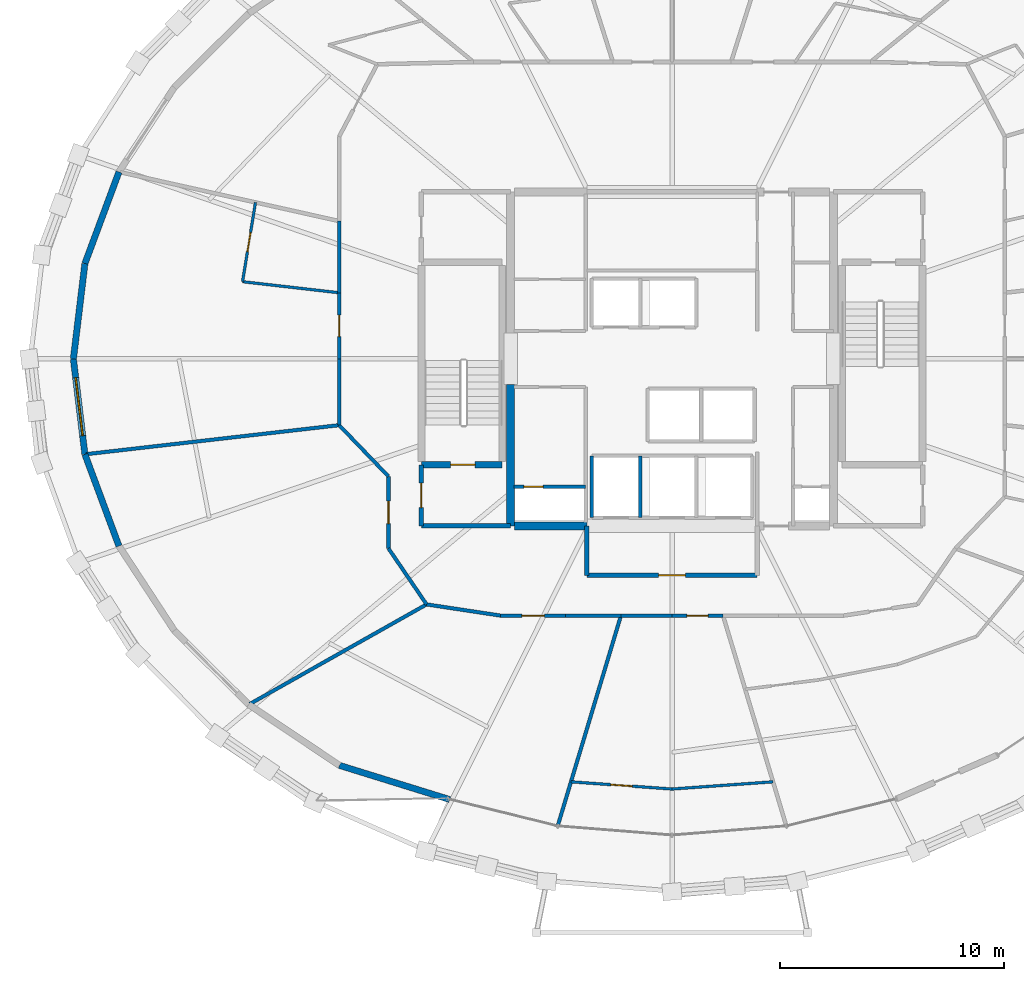
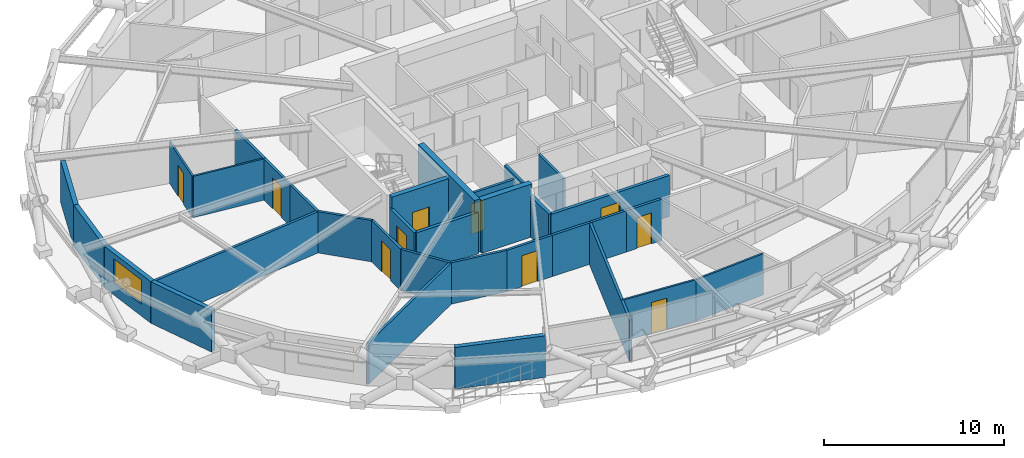
# One storey, part 14 of 21: 33 walls, 10 doors, 1 window, 11 openings.
"""IFC4 building model written with IfcOpenShell, lengths in metres."""

from ifc_helpers import new_model, si_unit, direction, frame, frame_2d, origin, place, context, subcontext, project, spatial, rectangle, extrude, material, layer, layer_set, type_object, element, fill, save


model = new_model("IFC4")

# Units and contexts
model_context = context("Model", 3, precision=1e-05, world=origin(), true_north=direction((0.0, 1.0)))
body_context = subcontext(model_context, "Body", "Model", "MODEL_VIEW")
ifc_project = project(units=[si_unit("LENGTHUNIT", "METRE"), si_unit("AREAUNIT", "SQUARE_METRE"), si_unit("VOLUMEUNIT", "CUBIC_METRE"), si_unit("PLANEANGLEUNIT", "RADIAN"), si_unit("MASSUNIT", "GRAM", prefix="KILO")], contexts=[model_context])

# Site, building, storey
site_placement = place(None, origin())
site = spatial("IfcSite", under=ifc_project, at=site_placement, CompositionType="ELEMENT")
building_placement = place(site_placement, origin())
building = spatial("IfcBuilding", under=site, at=building_placement, Name="Veldorina Hangang Commons", CompositionType="ELEMENT")
storey_placement = place(building_placement, frame((0.0, 0.0, 120.800048828125)))
storey = spatial("IfcBuildingStorey", under=building, at=storey_placement, Name="L30", CompositionType="ELEMENT", Elevation=120.800048828125)

# Walls
ifc_material_1 = material(Name="Concrete C60/75", Category="concrete")
ifc_layer_1 = layer(ifc_material_1, 0.360107421875)
ifc_layer_set_1 = layer_set([ifc_layer_1], Name="Concrete C60/75")
wall_type_1 = type_object("IfcWallType", Name="CW-RC360-C60", PredefinedType="SHEAR", material=ifc_layer_set_1)
wall_1_placement = place(storey_placement, frame((24.800048828125, 16.550048828125, 0.0), z_axis=(0.0, 0.0, 1.0), x_axis=(0.0, 1.0, 0.0)))
element("IfcWall", 1, at=wall_1_placement, inside=storey, type_object=wall_type_1, Name="L30 W south core shear wall", PredefinedType="SHEAR", context=body_context, shape_type="SweptSolid", body=[
    extrude(rectangle(XDim=6.300048828125, YDim=0.360107421875, at=frame_2d((3.14990234375, 0.0))), origin(), (0.0, 0.0, 1.0), 3.599853515625),
])
wall_2_placement = place(storey_placement, frame((24.97998046875, 16.550048828125, 0.0), z_axis=(0.0, 0.0, 1.0), x_axis=(1.0, 0.0, 0.0)))
element("IfcWall", 2, at=wall_2_placement, inside=storey, type_object=wall_type_1, Name="L30 south-west core shear wall", PredefinedType="SHEAR", context=body_context, shape_type="SweptSolid", body=[
    extrude(rectangle(XDim=3.219970703125, YDim=0.360107421875, at=frame_2d((1.60986328125, 0.0))), origin(), (0.0, 0.0, 1.0), 3.599853515625),
])
ifc_material_2 = material(Name="Stone Roman Travertine", Category="masonry")
ifc_layer_2 = layer(ifc_material_2, 0.280029296875)
ifc_layer_set_2 = layer_set([ifc_layer_2], Name="Stone Roman Travertine")
wall_type_2 = type_object("IfcWallType", Name="EW-TRAV-280", PredefinedType="STANDARD", material=ifc_layer_set_2)
wall_3_placement = place(storey_placement, frame((7.325927734375, 32.34521484375, 0.0), z_axis=(0.0, 0.0, 1.0), x_axis=(-0.348252546088, -0.937400748956, 0.0)))
element("IfcWall", 3, at=wall_3_placement, inside=storey, type_object=wall_type_2, Name="L30 travertine facade wall 14", PredefinedType="STANDARD", context=body_context, shape_type="SweptSolid", body=[
    extrude(rectangle(XDim=4.364013671875, YDim=0.280029296875, at=frame_2d((2.18212890625, 0.0))), origin(), (0.0, 0.0, 1.0), 2.820068359375),
])
wall_4_placement = place(storey_placement, frame((5.80615234375, 28.25439453125, 0.0), z_axis=(0.0, 0.0, 1.0), x_axis=(-0.119756259899, -0.992803323028, 0.0)))
element("IfcWall", 4, at=wall_4_placement, inside=storey, type_object=wall_type_2, Name="L30 travertine facade wall 15", PredefinedType="STANDARD", context=body_context, shape_type="SweptSolid", body=[
    extrude(rectangle(XDim=4.28515625, YDim=0.280029296875, at=frame_2d((2.142578125, 0.0))), origin(), (0.0, 0.0, 1.0), 2.820068359375),
])

# Wall, opening, window
wall_5_placement = place(storey_placement, frame((5.29296875, 24.0, 0.0), z_axis=(0.0, 0.0, 1.0), x_axis=(0.119756259899, -0.992803323028, 0.0)))
wall_5 = element("IfcWall", 5, at=wall_5_placement, inside=storey, type_object=wall_type_2, Name="L30 travertine facade wall 16", PredefinedType="STANDARD", context=body_context, shape_type="SweptSolid", body=[
    extrude(rectangle(XDim=4.28515625, YDim=0.280029296875, at=frame_2d((2.142578125, 0.0))), origin(), (0.0, 0.0, 1.0), 2.820068359375),
])
opening_1_placement = place(wall_5_placement, frame((0.842529296875, 0.0, 0.800048828125)))
opening_1 = element("IfcOpeningElement", 6, at=opening_1_placement, cuts=wall_5, Name="Opening W-02", PredefinedType="OPENING", context=body_context, shape_type="SweptSolid", body=[
    extrude(rectangle(XDim=2.60009765625, YDim=1.64990234375, at=frame_2d((1.300048828125, 0.824951171875))), frame((0.0, 0.14990234375, 0.0), z_axis=(0.0, -1.0, 0.0), x_axis=(1.0, 0.0, 0.0)), (0.0, 0.0, 1.0), 0.300048828125),
])
ifc_material_3 = material(Name="Glass Low-E Triple IGU", Category="glass")
window_type = type_object("IfcWindowType", Name="WIN-TWR-2600", PartitioningType="SINGLE_PANEL", PredefinedType="WINDOW", material=ifc_material_3)
window_placement = place(opening_1_placement, origin())
window = element("IfcWindow", 7, at=window_placement, inside=storey, type_object=window_type, Name="L30 facade window 16", OverallHeight=1.64990234375, OverallWidth=2.60009765625, PartitioningType="SINGLE_PANEL", PredefinedType="WINDOW", context=body_context, shape_type="SweptSolid", body=[
    extrude(rectangle(XDim=2.60009765625, YDim=1.64990234375, at=frame_2d((1.300048828125, 0.824951171875))), frame((0.0, 0.030029296875, 0.0), z_axis=(0.0, -1.0, 0.0), x_axis=(1.0, 0.0, 0.0)), (0.0, 0.0, 1.0), 0.06005859375),
])
fill(opening_1, window)

# Walls
wall_6_placement = place(storey_placement, frame((5.80615234375, 19.74560546875, 0.0), z_axis=(0.0, 0.0, 1.0), x_axis=(0.348252546088, -0.937400748956, 0.0)))
element("IfcWall", 8, at=wall_6_placement, inside=storey, type_object=wall_type_2, Name="L30 travertine facade wall 17", PredefinedType="STANDARD", context=body_context, shape_type="SweptSolid", body=[
    extrude(rectangle(XDim=4.364013671875, YDim=0.280029296875, at=frame_2d((2.18212890625, 0.0))), origin(), (0.0, 0.0, 1.0), 2.820068359375),
])
wall_7_placement = place(storey_placement, frame((17.162353515625, 5.8681640625, 0.0), z_axis=(0.0, 0.0, 1.0), x_axis=(0.955164029164, -0.2960771477, 0.0)))
element("IfcWall", 9, at=wall_7_placement, inside=storey, type_object=wall_type_2, Name="L30 travertine facade wall 21", PredefinedType="STANDARD", context=body_context, shape_type="SweptSolid", body=[
    extrude(rectangle(XDim=5.150390625, YDim=0.280029296875, at=frame_2d((2.5751953125, 0.0))), origin(), (0.0, 0.0, 1.0), 2.820068359375),
])

# Wall, opening, door
ifc_material_4 = material(Name="Concrete C50/60", Category="concrete")
ifc_layer_3 = layer(ifc_material_4, 0.300048828125)
ifc_layer_set_3 = layer_set([ifc_layer_3], Name="Concrete C50/60")
wall_type_3 = type_object("IfcWallType", Name="SW-STAIR-300", PredefinedType="SHEAR", material=ifc_layer_set_3)
wall_8_placement = place(storey_placement, frame((20.820068359375, 19.280029296875, 0.0), z_axis=(0.0, 0.0, 1.0), x_axis=(1.0, 0.0, 0.0)))
wall_8 = element("IfcWall", 10, at=wall_8_placement, inside=storey, type_object=wall_type_3, Name="L30 ST1 south stair shear wall", PredefinedType="SHEAR", context=body_context, shape_type="SweptSolid", body=[
    extrude(rectangle(XDim=3.599853515625, YDim=0.300048828125, at=frame_2d((1.7998046875, 0.0))), origin(), (0.0, 0.0, 1.0), 3.599853515625),
])
opening_2_placement = place(wall_8_placement, frame((1.300048828125, 0.0, 0.0)))
opening_2 = element("IfcOpeningElement", 11, at=opening_2_placement, cuts=wall_8, Name="Opening D-08", PredefinedType="OPENING", context=body_context, shape_type="SweptSolid", body=[
    extrude(rectangle(XDim=1.10009765625, YDim=2.10009765625, at=frame_2d((0.550048828125, 1.050048828125))), frame((0.0, 0.16015625, 0.0), z_axis=(0.0, -1.0, 0.0), x_axis=(1.0, 0.0, 0.0)), (0.0, 0.0, 1.0), 0.320068359375),
])
ifc_material_5 = material(Name="Steel Fire-Rated Smoke Seal", Category="steel")
door_type_1 = type_object("IfcDoorType", Name="DR-FIRE-1100", OperationType="SINGLE_SWING_RIGHT", PredefinedType="DOOR", material=ifc_material_5)
door_1_placement = place(opening_2_placement, origin())
door_1 = element("IfcDoor", 12, at=door_1_placement, inside=storey, type_object=door_type_1, Name="L30 Special Escape Stair ST-1 door", OperationType="SINGLE_SWING_LEFT", OverallHeight=2.10009765625, OverallWidth=1.10009765625, PredefinedType="DOOR", context=body_context, shape_type="SweptSolid", body=[
    extrude(rectangle(XDim=1.10009765625, YDim=2.10009765625, at=frame_2d((0.550048828125, 1.050048828125))), frame((0.0, 0.02490234375, 0.0), z_axis=(0.0, -1.0, 0.0), x_axis=(1.0, 0.0, 0.0)), (0.0, 0.0, 1.0), 0.050048828125),
])
fill(opening_2, door_1)

# Walls
ifc_material_6 = material(Name="Gypsum Fire-Rated Twin Stud Wall", Category="gypsum")
ifc_layer_4 = layer(ifc_material_6, 0.159912109375)
ifc_layer_set_4 = layer_set([ifc_layer_4], Name="Gypsum Fire-Rated Twin Stud Wall")
wall_type_4 = type_object("IfcWallType", Name="WL-FIRE-160", PredefinedType="SOLIDWALL", material=ifc_layer_set_4)
for number, where, z_axis, x_axis, name in (
    (13, (28.419921875, 16.919921875, 0.0), (0.0, 0.0, 1.0), (0.0, 1.0, 0.0), "L30 FFL-1 west shaft wall 027"),
    (14, (30.580078125, 16.919921875, 0.0), (0.0, 0.0, 1.0), (0.0, 1.0, 0.0), "L30 FFL-1 east shaft wall 028"),
):
    element("IfcWall", number, at=place(storey_placement, frame(where, z_axis=z_axis, x_axis=x_axis)), inside=storey, type_object=wall_type_4, Name=name, PredefinedType="SOLIDWALL", context=body_context, shape_type="SweptSolid", body=[
        extrude(rectangle(XDim=2.760009765625, YDim=0.159912109375, at=frame_2d((1.3798828125, 0.0))), origin(), (0.0, 0.0, 1.0), 2.800048828125),
    ])

# Wall, opening, door
wall_9_placement = place(storey_placement, frame((24.949951171875, 18.300048828125, 0.0), z_axis=(0.0, 0.0, 1.0), x_axis=(1.0, 0.0, 0.0)))
wall_9 = element("IfcWall", 15, at=wall_9_placement, inside=storey, type_object=wall_type_4, Name="L30 Electrical riser wall 034", PredefinedType="SOLIDWALL", context=body_context, shape_type="SweptSolid", body=[
    extrude(rectangle(XDim=3.199951171875, YDim=0.159912109375, at=frame_2d((1.60009765625, 0.0))), origin(), (0.0, 0.0, 1.0), 2.800048828125),
])
opening_3_placement = place(wall_9_placement, frame((0.43994140625, 0.0, 0.0)))
opening_3 = element("IfcOpeningElement", 16, at=opening_3_placement, cuts=wall_9, Name="Opening D-12", PredefinedType="OPENING", context=body_context, shape_type="SweptSolid", body=[
    extrude(rectangle(XDim=0.860107421875, YDim=2.050048828125, at=frame_2d((0.43017578125, 1.02490234375))), frame((0.0, 0.08984375, 0.0), z_axis=(0.0, -1.0, 0.0), x_axis=(1.0, 0.0, 0.0)), (0.0, 0.0, 1.0), 0.179931640625),
])
ifc_material_7 = material(Name="Steel Insulated Riser Access", Category="steel")
door_type_2 = type_object("IfcDoorType", Name="DR-TRAP-860", OperationType="SINGLE_SWING_LEFT", PredefinedType="TRAPDOOR", material=ifc_material_7)
door_2_placement = place(opening_3_placement, origin())
door_2 = element("IfcDoor", 17, at=door_2_placement, inside=storey, type_object=door_type_2, Name="L30 Electrical riser access door 012", OperationType="SINGLE_SWING_RIGHT", OverallHeight=2.050048828125, OverallWidth=0.860107421875, PredefinedType="TRAPDOOR", context=body_context, shape_type="SweptSolid", body=[
    extrude(rectangle(XDim=0.860107421875, YDim=2.050048828125, at=frame_2d((0.43017578125, 1.02490234375))), frame((0.0, 0.02490234375, 0.0), z_axis=(0.0, -1.0, 0.0), x_axis=(1.0, 0.0, 0.0)), (0.0, 0.0, 1.0), 0.050048828125),
])
fill(opening_3, door_2)

# Wall
wall_10_placement = place(storey_placement, frame((17.14990234375, 30.151123046875, 0.0), z_axis=(0.0, 0.0, 1.0), x_axis=(0.0, -1.0, 0.0)))
element("IfcWall", 18, at=wall_10_placement, inside=storey, type_object=wall_type_4, Name="L30 U-corridor outer wall 14 060", PredefinedType="SOLIDWALL", context=body_context, shape_type="SweptSolid", body=[
    extrude(rectangle(XDim=3.197265625, YDim=0.159912109375, at=frame_2d((1.5986328125, 0.0))), origin(), (0.0, 0.0, 1.0), 2.800048828125),
])

# Wall, opening, door
wall_11_placement = place(storey_placement, frame((17.14990234375, 26.953857421875, 0.0), z_axis=(0.0, 0.0, 1.0), x_axis=(0.0, -1.0, 0.0)))
wall_11 = element("IfcWall", 19, at=wall_11_placement, inside=storey, type_object=wall_type_4, Name="L30 U-corridor outer wall 15 061", PredefinedType="SOLIDWALL", context=body_context, shape_type="SweptSolid", body=[
    extrude(rectangle(XDim=2.953857421875, YDim=0.159912109375, at=frame_2d((1.47705078125, 0.0))), origin(), (0.0, 0.0, 1.0), 2.800048828125),
])
opening_4_placement = place(wall_11_placement, frame((1.001953125, 0.0, 0.0)))
opening_4 = element("IfcOpeningElement", 20, at=opening_4_placement, cuts=wall_11, Name="Opening D-03", PredefinedType="OPENING", context=body_context, shape_type="SweptSolid", body=[
    extrude(rectangle(XDim=0.949951171875, YDim=2.10009765625, at=frame_2d((0.47509765625, 1.050048828125))), frame((0.0, 0.08984375, 0.0), z_axis=(0.0, -1.0, 0.0), x_axis=(1.0, 0.0, 0.0)), (0.0, 0.0, 1.0), 0.179931640625),
])
ifc_material_8 = material(Name="Timber Fire-Rated Entrance Core", Category="wood")
door_type_3 = type_object("IfcDoorType", Name="DR-UNIT-950", OperationType="SINGLE_SWING_RIGHT", PredefinedType="DOOR", material=ifc_material_8)
door_3_placement = place(opening_4_placement, origin())
door_3 = element("IfcDoor", 21, at=door_3_placement, inside=storey, type_object=door_type_3, Name="L30 Studio 10 entrance door 039", OperationType="SINGLE_SWING_LEFT", OverallHeight=2.10009765625, OverallWidth=0.949951171875, PredefinedType="DOOR", context=body_context, shape_type="SweptSolid", body=[
    extrude(rectangle(XDim=0.949951171875, YDim=2.10009765625, at=frame_2d((0.47509765625, 1.050048828125))), frame((0.0, 0.02490234375, 0.0), z_axis=(0.0, -1.0, 0.0), x_axis=(1.0, 0.0, 0.0)), (0.0, 0.0, 1.0), 0.050048828125),
])
fill(opening_4, door_3)

# Walls
wall_12_placement = place(storey_placement, frame((17.14990234375, 24.0, 0.0), z_axis=(0.0, 0.0, 1.0), x_axis=(0.0, -1.0, 0.0)))
element("IfcWall", 22, at=wall_12_placement, inside=storey, type_object=wall_type_4, Name="L30 U-corridor outer wall 16 062", PredefinedType="SOLIDWALL", context=body_context, shape_type="SweptSolid", body=[
    extrude(rectangle(XDim=2.953857421875, YDim=0.159912109375, at=frame_2d((1.47705078125, 0.0))), origin(), (0.0, 0.0, 1.0), 2.800048828125),
])
wall_13_placement = place(storey_placement, frame((17.14990234375, 21.046142578125, 0.0), z_axis=(0.0, 0.0, 1.0), x_axis=(0.693473090138, -0.72048252807, 0.0)))
element("IfcWall", 23, at=wall_13_placement, inside=storey, type_object=wall_type_4, Name="L30 U-corridor outer wall 17 063", PredefinedType="SOLIDWALL", context=body_context, shape_type="SweptSolid", body=[
    extrude(rectangle(XDim=3.172607421875, YDim=0.159912109375, at=frame_2d((1.58642578125, 0.0))), origin(), (0.0, 0.0, 1.0), 2.800048828125),
])

# Wall, opening, door
wall_14_placement = place(storey_placement, frame((19.35009765625, 18.76025390625, 0.0), z_axis=(0.0, 0.0, 1.0), x_axis=(0.0, -1.0, 0.0)))
wall_14 = element("IfcWall", 24, at=wall_14_placement, inside=storey, type_object=wall_type_4, Name="L30 U-corridor outer wall 18 064", PredefinedType="SOLIDWALL", context=body_context, shape_type="SweptSolid", body=[
    extrude(rectangle(XDim=3.212646484375, YDim=0.159912109375, at=frame_2d((1.6064453125, 0.0))), origin(), (0.0, 0.0, 1.0), 2.800048828125),
])
opening_5_placement = place(wall_14_placement, frame((1.106201171875, 0.0, 0.0)))
opening_5 = element("IfcOpeningElement", 25, at=opening_5_placement, cuts=wall_14, Name="Opening D-05", PredefinedType="OPENING", context=body_context, shape_type="SweptSolid", body=[
    extrude(rectangle(XDim=1.0, YDim=2.10009765625, at=frame_2d((0.5, 1.050048828125))), frame((0.0, 0.08984375, 0.0), z_axis=(0.0, -1.0, 0.0), x_axis=(1.0, 0.0, 0.0)), (0.0, 0.0, 1.0), 0.179931640625),
])
ifc_material_9 = material(Name="Timber Solid Core Acoustic", Category="wood")
door_type_4 = type_object("IfcDoorType", Name="DR-INT-1000", OperationType="SINGLE_SWING_RIGHT", PredefinedType="DOOR", material=ifc_material_9)
door_4_placement = place(opening_5_placement, origin())
door_4 = element("IfcDoor", 26, at=door_4_placement, inside=storey, type_object=door_type_4, Name="L30 Floor Study Room 11 door 040", OperationType="SINGLE_SWING_RIGHT", OverallHeight=2.10009765625, OverallWidth=1.0, PredefinedType="DOOR", context=body_context, shape_type="SweptSolid", body=[
    extrude(rectangle(XDim=1.0, YDim=2.10009765625, at=frame_2d((0.5, 1.050048828125))), frame((0.0, 0.02490234375, 0.0), z_axis=(0.0, -1.0, 0.0), x_axis=(1.0, 0.0, 0.0)), (0.0, 0.0, 1.0), 0.050048828125),
])
fill(opening_5, door_4)

# Walls
wall_15_placement = place(storey_placement, frame((19.35009765625, 15.547607421875, 0.0), z_axis=(0.0, 0.0, 1.0), x_axis=(0.562674669208, -0.826678423955, 0.0)))
element("IfcWall", 27, at=wall_15_placement, inside=storey, type_object=wall_type_4, Name="L30 U-corridor outer wall 19 065", PredefinedType="SOLIDWALL", context=body_context, shape_type="SweptSolid", body=[
    extrude(rectangle(XDim=3.021240234375, YDim=0.159912109375, at=frame_2d((1.5107421875, 0.0))), origin(), (0.0, 0.0, 1.0), 2.800048828125),
])
wall_16_placement = place(storey_placement, frame((21.050048828125, 13.050048828125, 0.0), z_axis=(0.0, 0.0, 1.0), x_axis=(0.988710906508, -0.149835721217, 0.0)))
element("IfcWall", 28, at=wall_16_placement, inside=storey, type_object=wall_type_4, Name="L30 U-corridor outer wall 20 066", PredefinedType="SOLIDWALL", context=body_context, shape_type="SweptSolid", body=[
    extrude(rectangle(XDim=3.3369140625, YDim=0.159912109375, at=frame_2d((1.66845703125, 0.0))), origin(), (0.0, 0.0, 1.0), 2.800048828125),
])

# Wall, opening, door
wall_17_placement = place(storey_placement, frame((24.349365234375, 12.550048828125, 0.0), z_axis=(0.0, 0.0, 1.0), x_axis=(1.0, 0.0, 0.0)))
wall_17 = element("IfcWall", 29, at=wall_17_placement, inside=storey, type_object=wall_type_4, Name="L30 U-corridor outer wall 21 067", PredefinedType="SOLIDWALL", context=body_context, shape_type="SweptSolid", body=[
    extrude(rectangle(XDim=2.907958984375, YDim=0.159912109375, at=frame_2d((1.4541015625, 0.0))), origin(), (0.0, 0.0, 1.0), 2.800048828125),
])
opening_6_placement = place(wall_17_placement, frame((0.9541015625, 0.0, 0.0)))
opening_6 = element("IfcOpeningElement", 30, at=opening_6_placement, cuts=wall_17, Name="Opening D-05", PredefinedType="OPENING", context=body_context, shape_type="SweptSolid", body=[
    extrude(rectangle(XDim=1.0, YDim=2.10009765625, at=frame_2d((0.5, 1.050048828125))), frame((0.0, 0.08984375, 0.0), z_axis=(0.0, -1.0, 0.0), x_axis=(1.0, 0.0, 0.0)), (0.0, 0.0, 1.0), 0.179931640625),
])
door_5_placement = place(opening_6_placement, origin())
door_5 = element("IfcDoor", 31, at=door_5_placement, inside=storey, type_object=door_type_4, Name="L30 Seminar Focus Room 12 door 041", OperationType="SINGLE_SWING_LEFT", OverallHeight=2.10009765625, OverallWidth=1.0, PredefinedType="DOOR", context=body_context, shape_type="SweptSolid", body=[
    extrude(rectangle(XDim=1.0, YDim=2.10009765625, at=frame_2d((0.5, 1.050048828125))), frame((0.0, 0.02490234375, 0.0), z_axis=(0.0, -1.0, 0.0), x_axis=(1.0, 0.0, 0.0)), (0.0, 0.0, 1.0), 0.050048828125),
])
fill(opening_6, door_5)

# Walls
wall_18_placement = place(storey_placement, frame((27.25732421875, 12.550048828125, 0.0), z_axis=(0.0, 0.0, 1.0), x_axis=(1.0, 0.0, 0.0)))
element("IfcWall", 32, at=wall_18_placement, inside=storey, type_object=wall_type_4, Name="L30 U-corridor outer wall 22 068", PredefinedType="SOLIDWALL", context=body_context, shape_type="SweptSolid", body=[
    extrude(rectangle(XDim=2.465087890625, YDim=0.159912109375, at=frame_2d((1.232421875, 0.0))), origin(), (0.0, 0.0, 1.0), 2.800048828125),
])
wall_19_placement = place(storey_placement, frame((29.722412109375, 12.550048828125, 0.0), z_axis=(0.0, 0.0, 1.0), x_axis=(1.0, 0.0, 0.0)))
element("IfcWall", 33, at=wall_19_placement, inside=storey, type_object=wall_type_4, Name="L30 U-corridor outer wall 23 069", PredefinedType="SOLIDWALL", context=body_context, shape_type="SweptSolid", body=[
    extrude(rectangle(XDim=2.277587890625, YDim=0.159912109375, at=frame_2d((1.138671875, 0.0))), origin(), (0.0, 0.0, 1.0), 2.800048828125),
])

# Wall, opening, door
wall_20_placement = place(storey_placement, frame((32.0, 12.550048828125, 0.0), z_axis=(0.0, 0.0, 1.0), x_axis=(1.0, 0.0, 0.0)))
wall_20 = element("IfcWall", 34, at=wall_20_placement, inside=storey, type_object=wall_type_4, Name="L30 U-corridor outer wall 24 070", PredefinedType="SOLIDWALL", context=body_context, shape_type="SweptSolid", body=[
    extrude(rectangle(XDim=2.277587890625, YDim=0.159912109375, at=frame_2d((1.138671875, 0.0))), origin(), (0.0, 0.0, 1.0), 2.800048828125),
])
opening_7_placement = place(wall_20_placement, frame((0.663818359375, 0.0, 0.0)))
opening_7 = element("IfcOpeningElement", 35, at=opening_7_placement, cuts=wall_20, Name="Opening D-02", PredefinedType="OPENING", context=body_context, shape_type="SweptSolid", body=[
    extrude(rectangle(XDim=0.949951171875, YDim=2.10009765625, at=frame_2d((0.47509765625, 1.050048828125))), frame((0.0, 0.08984375, 0.0), z_axis=(0.0, -1.0, 0.0), x_axis=(1.0, 0.0, 0.0)), (0.0, 0.0, 1.0), 0.179931640625),
])
door_type_5 = type_object("IfcDoorType", Name="DR-INT-950", OperationType="SINGLE_SWING_LEFT", PredefinedType="DOOR", material=ifc_material_9)
door_6_placement = place(opening_7_placement, origin())
door_6 = element("IfcDoor", 36, at=door_6_placement, inside=storey, type_object=door_type_5, Name="L30 Linen drying store door 042", OperationType="SINGLE_SWING_RIGHT", OverallHeight=2.10009765625, OverallWidth=0.949951171875, PredefinedType="DOOR", context=body_context, shape_type="SweptSolid", body=[
    extrude(rectangle(XDim=0.949951171875, YDim=2.10009765625, at=frame_2d((0.47509765625, 1.050048828125))), frame((0.0, 0.02490234375, 0.0), z_axis=(0.0, -1.0, 0.0), x_axis=(1.0, 0.0, 0.0)), (0.0, 0.0, 1.0), 0.050048828125),
])
fill(opening_7, door_6)

# Walls
wall_21_placement = place(storey_placement, frame((17.14990234375, 21.046142578125, 0.0), z_axis=(0.0, 0.0, 1.0), x_axis=(-0.993493502976, -0.113888803422, 0.0)))
element("IfcWall", 37, at=wall_21_placement, inside=storey, type_object=wall_type_4, Name="L30 Unit party wall 17 110", PredefinedType="SOLIDWALL", context=body_context, shape_type="SweptSolid", body=[
    extrude(rectangle(XDim=11.367919921875, YDim=0.159912109375, at=frame_2d((5.68408203125, 0.0))), origin(), (0.0, 0.0, 1.0), 2.800048828125),
])
wall_22_placement = place(storey_placement, frame((21.050048828125, 13.050048828125, 0.0), z_axis=(0.0, 0.0, 1.0), x_axis=(-0.871265811463, -0.490811456442, 0.0)))
element("IfcWall", 38, at=wall_22_placement, inside=storey, type_object=wall_type_4, Name="L30 Unit party wall 20 111", PredefinedType="SOLIDWALL", context=body_context, shape_type="SweptSolid", body=[
    extrude(rectangle(XDim=9.05712890625, YDim=0.159912109375, at=frame_2d((4.528564453125, 0.0))), origin(), (0.0, 0.0, 1.0), 2.800048828125),
])
wall_23_placement = place(storey_placement, frame((29.722412109375, 12.550048828125, 0.0), z_axis=(0.0, 0.0, 1.0), x_axis=(-0.287990783487, -0.957633180621, 0.0)))
element("IfcWall", 39, at=wall_23_placement, inside=storey, type_object=wall_type_4, Name="L30 Unit party wall 23 112", PredefinedType="SOLIDWALL", context=body_context, shape_type="SweptSolid", body=[
    extrude(rectangle(XDim=9.754150390625, YDim=0.159912109375, at=frame_2d((4.876953125, 0.0))), origin(), (0.0, 0.0, 1.0), 2.800048828125),
])

# Wall, opening, door
ifc_material_10 = material(Name="Concrete Blockwork Fire Wall C30/37", Category="masonry")
ifc_layer_5 = layer(ifc_material_10, 0.199951171875)
ifc_layer_set_5 = layer_set([ifc_layer_5], Name="Concrete Blockwork Fire Wall C30/37")
wall_type_5 = type_object("IfcWallType", Name="WL-FIRE-200", PredefinedType="SOLIDWALL", material=ifc_layer_set_5)
wall_24_placement = place(storey_placement, frame((20.820068359375, 16.550048828125, 0.0), z_axis=(0.0, 0.0, 1.0), x_axis=(0.0, 1.0, 0.0)))
wall_24 = element("IfcWall", 40, at=wall_24_placement, inside=storey, type_object=wall_type_5, Name="L30 West vestibule outer wall 001", PredefinedType="SOLIDWALL", context=body_context, shape_type="SweptSolid", body=[
    extrude(rectangle(XDim=2.72998046875, YDim=0.199951171875, at=frame_2d((1.364990234375, 0.0))), origin(), (0.0, 0.0, 1.0), 2.800048828125),
])
opening_8_placement = place(wall_24_placement, frame((0.81494140625, 0.0, 0.0)))
opening_8 = element("IfcOpeningElement", 41, at=opening_8_placement, cuts=wall_24, Name="Opening D-08", PredefinedType="OPENING", context=body_context, shape_type="SweptSolid", body=[
    extrude(rectangle(XDim=1.10009765625, YDim=2.10009765625, at=frame_2d((0.550048828125, 1.050048828125))), frame((0.0, 0.10986328125, 0.0), z_axis=(0.0, -1.0, 0.0), x_axis=(1.0, 0.0, 0.0)), (0.0, 0.0, 1.0), 0.219970703125),
])
door_7_placement = place(opening_8_placement, origin())
door_7 = element("IfcDoor", 42, at=door_7_placement, inside=storey, type_object=door_type_1, Name="L30 West vestibule west door 001", OperationType="SINGLE_SWING_LEFT", OverallHeight=2.10009765625, OverallWidth=1.10009765625, PredefinedType="DOOR", context=body_context, shape_type="SweptSolid", body=[
    extrude(rectangle(XDim=1.10009765625, YDim=2.10009765625, at=frame_2d((0.550048828125, 1.050048828125))), frame((0.0, 0.02490234375, 0.0), z_axis=(0.0, -1.0, 0.0), x_axis=(1.0, 0.0, 0.0)), (0.0, 0.0, 1.0), 0.050048828125),
])
fill(opening_8, door_7)

# Walls
wall_25_placement = place(storey_placement, frame((20.820068359375, 16.550048828125, 0.0), z_axis=(0.0, 0.0, 1.0), x_axis=(1.0, 0.0, 0.0)))
element("IfcWall", 43, at=wall_25_placement, inside=storey, type_object=wall_type_5, Name="L30 West vestibule south wall 002", PredefinedType="SOLIDWALL", context=body_context, shape_type="SweptSolid", body=[
    extrude(rectangle(XDim=3.97998046875, YDim=0.199951171875, at=frame_2d((1.989990234375, 0.0))), origin(), (0.0, 0.0, 1.0), 2.800048828125),
])
wall_26_placement = place(storey_placement, frame((28.199951171875, 14.35009765625, 0.0), z_axis=(0.0, 0.0, 1.0), x_axis=(0.0, 1.0, 0.0)))
element("IfcWall", 44, at=wall_26_placement, inside=storey, type_object=wall_type_5, Name="L30 FF lobby west wall 012", PredefinedType="SOLIDWALL", context=body_context, shape_type="SweptSolid", body=[
    extrude(rectangle(XDim=2.199951171875, YDim=0.199951171875, at=frame_2d((1.10009765625, 0.0))), origin(), (0.0, 0.0, 1.0), 2.800048828125),
])

# Wall, opening, door
wall_27_placement = place(storey_placement, frame((28.199951171875, 14.35009765625, 0.0), z_axis=(0.0, 0.0, 1.0), x_axis=(1.0, 0.0, 0.0)))
wall_27 = element("IfcWall", 45, at=wall_27_placement, inside=storey, type_object=wall_type_5, Name="L30 FF lobby south wall 014", PredefinedType="SOLIDWALL", context=body_context, shape_type="SweptSolid", body=[
    extrude(rectangle(XDim=7.60009765625, YDim=0.199951171875, at=frame_2d((3.800048828125, 0.0))), origin(), (0.0, 0.0, 1.0), 2.800048828125),
])
opening_9_placement = place(wall_27_placement, frame((3.199951171875, 0.0, 0.0)))
opening_9 = element("IfcOpeningElement", 46, at=opening_9_placement, cuts=wall_27, Name="Opening D-09", PredefinedType="OPENING", context=body_context, shape_type="SweptSolid", body=[
    extrude(rectangle(XDim=1.199951171875, YDim=2.10009765625, at=frame_2d((0.60009765625, 1.050048828125))), frame((0.0, 0.10986328125, 0.0), z_axis=(0.0, -1.0, 0.0), x_axis=(1.0, 0.0, 0.0)), (0.0, 0.0, 1.0), 0.219970703125),
])
ifc_material_11 = material(Name="Steel Fire-Rated Corridor Door", Category="steel")
door_type_6 = type_object("IfcDoorType", Name="DR-FIRE-1200", OperationType="SINGLE_SWING_LEFT", PredefinedType="DOOR", material=ifc_material_11)
door_8_placement = place(opening_9_placement, origin())
door_8 = element("IfcDoor", 47, at=door_8_placement, inside=storey, type_object=door_type_6, Name="L30 FF lobby south corridor door 005", OperationType="SINGLE_SWING_LEFT", OverallHeight=2.10009765625, OverallWidth=1.199951171875, PredefinedType="DOOR", context=body_context, shape_type="SweptSolid", body=[
    extrude(rectangle(XDim=1.199951171875, YDim=2.10009765625, at=frame_2d((0.60009765625, 1.050048828125))), frame((0.0, 0.02490234375, 0.0), z_axis=(0.0, -1.0, 0.0), x_axis=(1.0, 0.0, 0.0)), (0.0, 0.0, 1.0), 0.050048828125),
])
fill(opening_9, door_8)

ifc_material_12 = material(Name="Gypsum Acoustic Stud Partition", Category="gypsum")
ifc_layer_6 = layer(ifc_material_12, 0.1201171875)
ifc_layer_set_6 = layer_set([ifc_layer_6], Name="Gypsum Acoustic Stud Partition")
wall_type_6 = type_object("IfcWallType", Name="WL-PART-120", PredefinedType="PARTITIONING", material=ifc_layer_set_6)
wall_28_placement = place(storey_placement, frame((13.416748046875, 30.98486328125, 0.0), z_axis=(0.0, 0.0, 1.0), x_axis=(-0.161117002458, -0.986935312733, 0.0)))
wall_28 = element("IfcWall", 48, at=wall_28_placement, inside=storey, type_object=wall_type_6, Name="L30 Studio 10 bath front wall 108", PredefinedType="PARTITIONING", context=body_context, shape_type="SweptSolid", body=[
    extrude(rectangle(XDim=3.583740234375, YDim=0.1201171875, at=frame_2d((1.7919921875, 0.0))), origin(), (0.0, 0.0, 1.0), 2.800048828125),
])
opening_10_placement = place(wall_28_placement, frame((1.36181640625, 0.0, 0.0)))
opening_10 = element("IfcOpeningElement", 49, at=opening_10_placement, cuts=wall_28, Name="Opening D-01", PredefinedType="OPENING", context=body_context, shape_type="SweptSolid", body=[
    extrude(rectangle(XDim=0.860107421875, YDim=2.10009765625, at=frame_2d((0.43017578125, 1.050048828125))), frame((0.0, 0.070068359375, 0.0), z_axis=(0.0, -1.0, 0.0), x_axis=(1.0, 0.0, 0.0)), (0.0, 0.0, 1.0), 0.14013671875),
])
ifc_material_13 = material(Name="Timber Moisture-Resistant Core", Category="wood")
door_type_7 = type_object("IfcDoorType", Name="DR-WET-860", OperationType="SINGLE_SWING_LEFT", PredefinedType="DOOR", material=ifc_material_13)
door_9_placement = place(opening_10_placement, origin())
door_9 = element("IfcDoor", 50, at=door_9_placement, inside=storey, type_object=door_type_7, Name="L30 Studio 10 bathroom door 038", OperationType="SINGLE_SWING_RIGHT", OverallHeight=2.10009765625, OverallWidth=0.860107421875, PredefinedType="DOOR", context=body_context, shape_type="SweptSolid", body=[
    extrude(rectangle(XDim=0.860107421875, YDim=2.10009765625, at=frame_2d((0.43017578125, 1.050048828125))), frame((0.0, 0.02490234375, 0.0), z_axis=(0.0, -1.0, 0.0), x_axis=(1.0, 0.0, 0.0)), (0.0, 0.0, 1.0), 0.050048828125),
])
fill(opening_10, door_9)

# Wall
wall_29_placement = place(storey_placement, frame((17.14990234375, 26.953857421875, 0.0), z_axis=(0.0, 0.0, 1.0), x_axis=(-0.993493438014, 0.113889370103, 0.0)))
element("IfcWall", 51, at=wall_29_placement, inside=storey, type_object=wall_type_6, Name="L30 Studio 10 bath side wall 109", PredefinedType="PARTITIONING", context=body_context, shape_type="SweptSolid", body=[
    extrude(rectangle(XDim=4.3388671875, YDim=0.1201171875, at=frame_2d((2.16943359375, 0.0))), origin(), (0.0, 0.0, 1.0), 2.800048828125),
])

# Wall, opening, door
wall_30_placement = place(storey_placement, frame((27.492431640625, 5.135009765625, 0.0), z_axis=(0.0, 0.0, 1.0), x_axis=(0.997450191448, -0.071366067427, 0.0)))
wall_30 = element("IfcWall", 52, at=wall_30_placement, inside=storey, type_object=wall_type_6, Name="L30 Laundry split 0 113", PredefinedType="PARTITIONING", context=body_context, shape_type="SweptSolid", body=[
    extrude(rectangle(XDim=4.51904296875, YDim=0.1201171875, at=frame_2d((2.259521484375, 0.0))), origin(), (0.0, 0.0, 1.0), 2.800048828125),
])
opening_11_placement = place(wall_30_placement, frame((1.784423828125, 0.0, 0.0)))
opening_11 = element("IfcOpeningElement", 53, at=opening_11_placement, cuts=wall_30, Name="Opening D-02", PredefinedType="OPENING", context=body_context, shape_type="SweptSolid", body=[
    extrude(rectangle(XDim=0.949951171875, YDim=2.10009765625, at=frame_2d((0.47509765625, 1.050048828125))), frame((0.0, 0.070068359375, 0.0), z_axis=(0.0, -1.0, 0.0), x_axis=(1.0, 0.0, 0.0)), (0.0, 0.0, 1.0), 0.14013671875),
])
door_10_placement = place(opening_11_placement, origin())
door_10 = element("IfcDoor", 54, at=door_10_placement, inside=storey, type_object=door_type_5, Name="L30 Resident laundry inner door 043", OperationType="SINGLE_SWING_LEFT", OverallHeight=2.10009765625, OverallWidth=0.949951171875, PredefinedType="DOOR", context=body_context, shape_type="SweptSolid", body=[
    extrude(rectangle(XDim=0.949951171875, YDim=2.10009765625, at=frame_2d((0.47509765625, 1.050048828125))), frame((0.0, 0.02490234375, 0.0), z_axis=(0.0, -1.0, 0.0), x_axis=(1.0, 0.0, 0.0)), (0.0, 0.0, 1.0), 0.050048828125),
])
fill(opening_11, door_10)

# Wall
wall_31_placement = place(storey_placement, frame((32.0, 4.8125, 0.0), z_axis=(0.0, 0.0, 1.0), x_axis=(0.997450191448, 0.071366067427, 0.0)))
element("IfcWall", 55, at=wall_31_placement, inside=storey, type_object=wall_type_6, Name="L30 Laundry split 1 114", PredefinedType="PARTITIONING", context=body_context, shape_type="SweptSolid", body=[
    extrude(rectangle(XDim=4.51904296875, YDim=0.1201171875, at=frame_2d((2.259521484375, 0.0))), origin(), (0.0, 0.0, 1.0), 2.800048828125),
])

save(model, "model.ifc")
